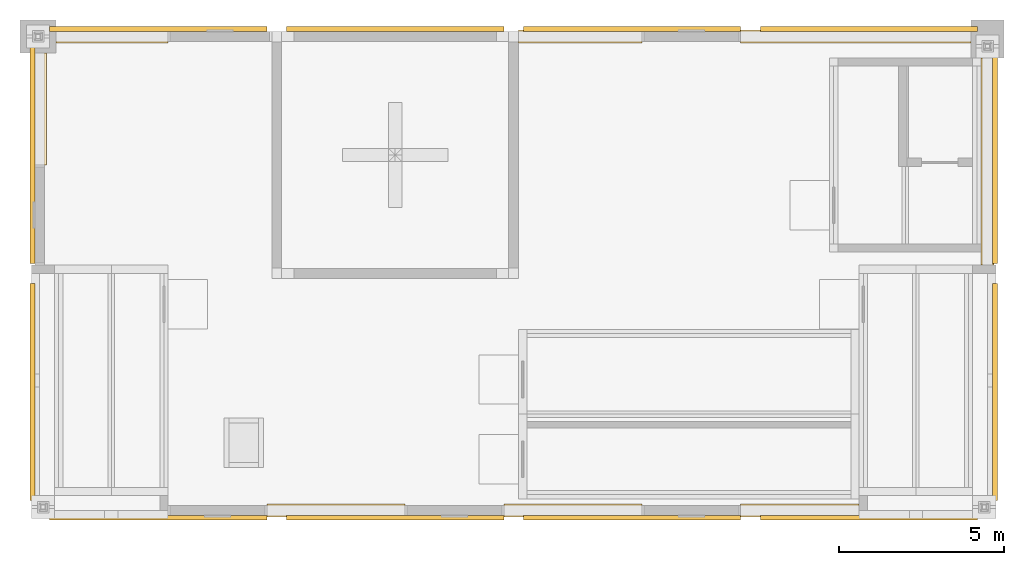
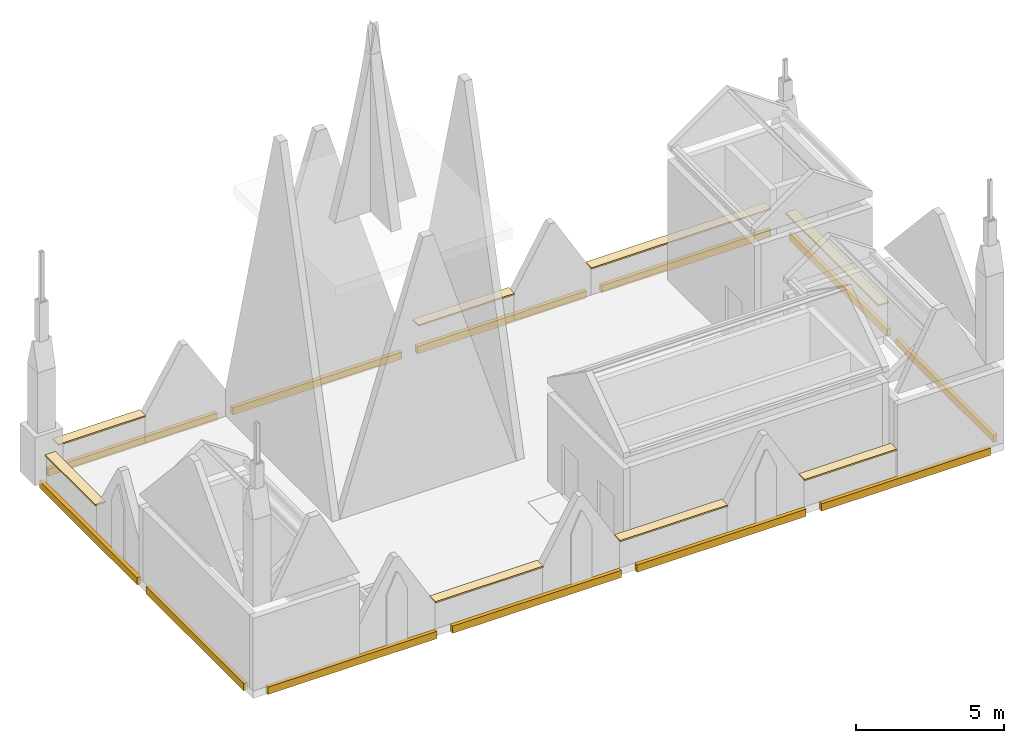
# One storey, part 10 of 10: 20 coverings.
"""IFC4 building model written with IfcOpenShell, lengths in metres."""

from ifc_helpers import new_model, si_unit, direction, frame, origin, origin_2d, place, context, subcontext, project, spatial, rectangle, extrude, material, layer, layer_set, type_object, element, save


model = new_model("IFC4")

# Units and contexts
model_context = context("Model", 3, precision=1e-05, world=origin(), true_north=direction((0.0, 1.0)))
body_context = subcontext(model_context, "Body", "Model", "MODEL_VIEW")
ifc_project = project(units=[si_unit("LENGTHUNIT", "METRE"), si_unit("AREAUNIT", "SQUARE_METRE"), si_unit("VOLUMEUNIT", "CUBIC_METRE"), si_unit("PLANEANGLEUNIT", "RADIAN"), si_unit("MASSUNIT", "GRAM", prefix="KILO")], contexts=[model_context])

# Site, building, storey
site_placement = place(None, origin())
site = spatial("IfcSite", under=ifc_project, at=site_placement, CompositionType="ELEMENT")
building_placement = place(site_placement, origin())
building = spatial("IfcBuilding", under=site, at=building_placement, Name="Silangan Lancet Faculty of Sciences", CompositionType="ELEMENT")
storey_placement = place(building_placement, frame((0.0, 0.0, 81.300048828125)))
storey = spatial("IfcBuildingStorey", under=building, at=storey_placement, Name="ROOF", CompositionType="ELEMENT", Elevation=81.300048828125)

# Coverings
ifc_material_1 = material(Name="Concrete C35/45 precast", Category="concrete")
ifc_layer = layer(ifc_material_1, 0.06005859375)
ifc_layer_set = layer_set([ifc_layer], Name="Concrete C35/45 precast")
covering_type_1 = type_object("IfcCoveringType", Name="Parapet coping 400", PredefinedType="MOLDING", material=ifc_layer_set)
covering_1_placement = place(storey_placement, frame((0.0, 12.199951171875, 1.099853515625), z_axis=(0.0, 0.0, 1.0), x_axis=(1.0, 0.0, 0.0)))
element("IfcCovering", 1, at=covering_1_placement, inside=storey, type_object=covering_type_1, Name="Parapet coping ST 1", PredefinedType="MOLDING", context=body_context, shape_type="SweptSolid", body=[
    extrude(rectangle(XDim=0.39990234375, YDim=3.39990234375, at=origin_2d()), origin(), (0.0, 0.0, 1.0), 0.06005859375),
])
covering_2_placement = place(storey_placement, frame((2.199951171875, 14.39990234375, 1.099853515625), z_axis=(0.0, 0.0, 1.0), x_axis=(1.0, 0.0, 0.0)))
element("IfcCovering", 2, at=covering_2_placement, inside=storey, type_object=covering_type_1, Name="Parapet coping ST 2", PredefinedType="MOLDING", context=body_context, shape_type="SweptSolid", body=[
    extrude(rectangle(XDim=3.39990234375, YDim=0.39990234375, at=origin_2d()), origin(), (0.0, 0.0, 1.0), 0.06005859375),
])
covering_3_placement = place(storey_placement, frame((16.425048828125, 14.39990234375, 1.099853515625), z_axis=(0.0, 0.0, 1.0), x_axis=(1.0, 0.0, 0.0)))
element("IfcCovering", 3, at=covering_3_placement, inside=storey, type_object=covering_type_1, Name="Parapet coping ST 3", PredefinedType="MOLDING", context=body_context, shape_type="SweptSolid", body=[
    extrude(rectangle(XDim=3.75, YDim=0.39990234375, at=origin_2d()), origin(), (0.0, 0.0, 1.0), 0.06005859375),
])
covering_4_placement = place(storey_placement, frame((24.800048828125, 14.39990234375, 1.099853515625), z_axis=(0.0, 0.0, 1.0), x_axis=(1.0, 0.0, 0.0)))
element("IfcCovering", 4, at=covering_4_placement, inside=storey, type_object=covering_type_1, Name="Parapet coping ST 4", PredefinedType="MOLDING", context=body_context, shape_type="SweptSolid", body=[
    extrude(rectangle(XDim=7.0, YDim=0.39990234375, at=origin_2d()), origin(), (0.0, 0.0, 1.0), 0.06005859375),
])
covering_5_placement = place(storey_placement, frame((28.800048828125, 10.60009765625, 1.099853515625), z_axis=(0.0, 0.0, 1.0), x_axis=(1.0, 0.0, 0.0)))
element("IfcCovering", 5, at=covering_5_placement, inside=storey, type_object=covering_type_1, Name="Parapet coping ST 5", PredefinedType="MOLDING", context=body_context, shape_type="SweptSolid", body=[
    extrude(rectangle(XDim=0.39990234375, YDim=6.300048828125, at=origin_2d()), origin(), (0.0, 0.0, 1.0), 0.06005859375),
])
for number, where, z_axis, x_axis, name in (
    (6, (9.0, 0.0, 1.099853515625), (0.0, 0.0, 1.0), (1.0, 0.0, 0.0), "Parapet coping ST 6"),
    (7, (16.199951171875, 0.0, 1.099853515625), (0.0, 0.0, 1.0), (1.0, 0.0, 0.0), "Parapet coping ST 7"),
):
    element("IfcCovering", number, at=place(storey_placement, frame(where, z_axis=z_axis, x_axis=x_axis)), inside=storey, type_object=covering_type_1, Name=name, PredefinedType="MOLDING", context=body_context, shape_type="SweptSolid", body=[
        extrude(rectangle(XDim=4.199951171875, YDim=0.39990234375, at=origin_2d()), origin(), (0.0, 0.0, 1.0), 0.06005859375),
    ])
covering_6_placement = place(storey_placement, frame((23.10009765625, 0.0, 1.099853515625), z_axis=(0.0, 0.0, 1.0), x_axis=(1.0, 0.0, 0.0)))
element("IfcCovering", 8, at=covering_6_placement, inside=storey, type_object=covering_type_1, Name="Parapet coping ST 8", PredefinedType="MOLDING", context=body_context, shape_type="SweptSolid", body=[
    extrude(rectangle(XDim=3.60009765625, YDim=0.39990234375, at=origin_2d()), origin(), (0.0, 0.0, 1.0), 0.06005859375),
])
ifc_material_2 = material(Name="Concrete C40/50 precast", Category="concrete")
covering_type_2 = type_object("IfcCoveringType", Name="SC2 Precast string course 300 x 150", PredefinedType="CLADDING", material=ifc_material_2)
for number, where, z_axis, x_axis, name in (
    (9, (29.02490234375, 3.60009765625, -0.30029296875), (0.0, 0.0, 1.0), (1.0, 0.0, 0.0), "SC-ROOF-E-ST-U-00"),
    (10, (29.02490234375, 10.800048828125, -0.30029296875), (0.0, 0.0, 1.0), (1.0, 0.0, 0.0), "SC-ROOF-E-ST-U-01"),
):
    element("IfcCovering", number, at=place(storey_placement, frame(where, z_axis=z_axis, x_axis=x_axis)), inside=storey, type_object=covering_type_2, Name=name, PredefinedType="CLADDING", context=body_context, shape_type="SweptSolid", body=[
        extrude(rectangle(XDim=0.14990234375, YDim=6.60009765625, at=origin_2d()), origin(), (0.0, 0.0, 1.0), 0.300048828125),
    ])
for number, where, z_axis, x_axis, name in (
    (11, (25.199951171875, 14.625, -0.30029296875), (0.0, 0.0, 1.0), (1.0, 0.0, 0.0), "SC-ROOF-N-ST-U-00"),
    (12, (18.0, 14.625, -0.30029296875), (0.0, 0.0, 1.0), (1.0, 0.0, 0.0), "SC-ROOF-N-ST-U-01"),
    (13, (10.800048828125, 14.625, -0.30029296875), (0.0, 0.0, 1.0), (1.0, 0.0, 0.0), "SC-ROOF-N-ST-U-02"),
    (14, (3.60009765625, 14.625, -0.30029296875), (0.0, 0.0, 1.0), (1.0, 0.0, 0.0), "SC-ROOF-N-ST-U-03"),
    (15, (3.60009765625, -0.22509765625, -0.30029296875), (0.0, 0.0, 1.0), (1.0, 0.0, 0.0), "SC-ROOF-S-ST-00"),
    (16, (10.800048828125, -0.22509765625, -0.30029296875), (0.0, 0.0, 1.0), (1.0, 0.0, 0.0), "SC-ROOF-S-ST-01"),
    (17, (18.0, -0.22509765625, -0.30029296875), (0.0, 0.0, 1.0), (1.0, 0.0, 0.0), "SC-ROOF-S-ST-02"),
    (18, (25.199951171875, -0.22509765625, -0.30029296875), (0.0, 0.0, 1.0), (1.0, 0.0, 0.0), "SC-ROOF-S-ST-03"),
):
    element("IfcCovering", number, at=place(storey_placement, frame(where, z_axis=z_axis, x_axis=x_axis)), inside=storey, type_object=covering_type_2, Name=name, PredefinedType="CLADDING", context=body_context, shape_type="SweptSolid", body=[
        extrude(rectangle(XDim=6.60009765625, YDim=0.14990234375, at=origin_2d()), origin(), (0.0, 0.0, 1.0), 0.300048828125),
    ])
for number, where, z_axis, x_axis, name in (
    (19, (-0.22509765625, 3.60009765625, -0.30029296875), (0.0, 0.0, 1.0), (1.0, 0.0, 0.0), "SC-ROOF-W-ST-U-00"),
    (20, (-0.22509765625, 10.800048828125, -0.30029296875), (0.0, 0.0, 1.0), (1.0, 0.0, 0.0), "SC-ROOF-W-ST-U-01"),
):
    element("IfcCovering", number, at=place(storey_placement, frame(where, z_axis=z_axis, x_axis=x_axis)), inside=storey, type_object=covering_type_2, Name=name, PredefinedType="CLADDING", context=body_context, shape_type="SweptSolid", body=[
        extrude(rectangle(XDim=0.14990234375, YDim=6.60009765625, at=origin_2d()), origin(), (0.0, 0.0, 1.0), 0.300048828125),
    ])

save(model, "model.ifc")
